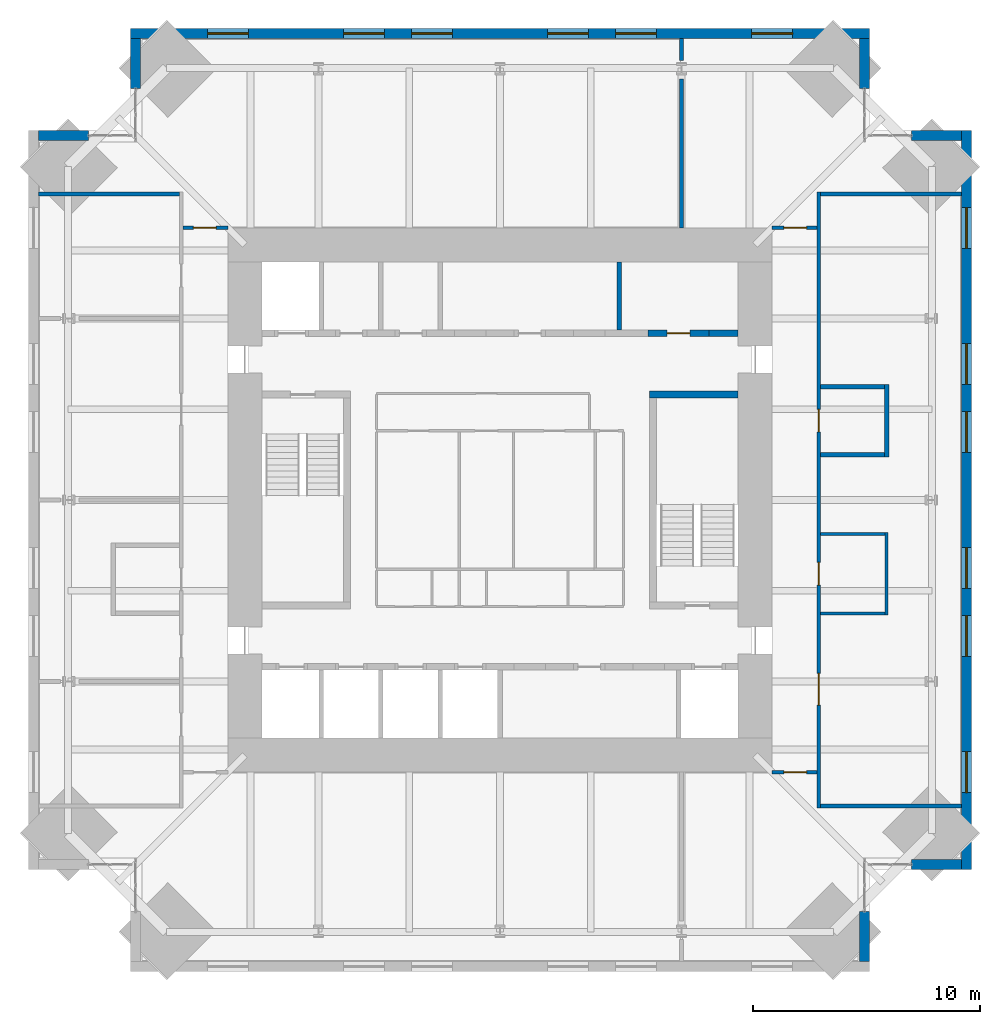
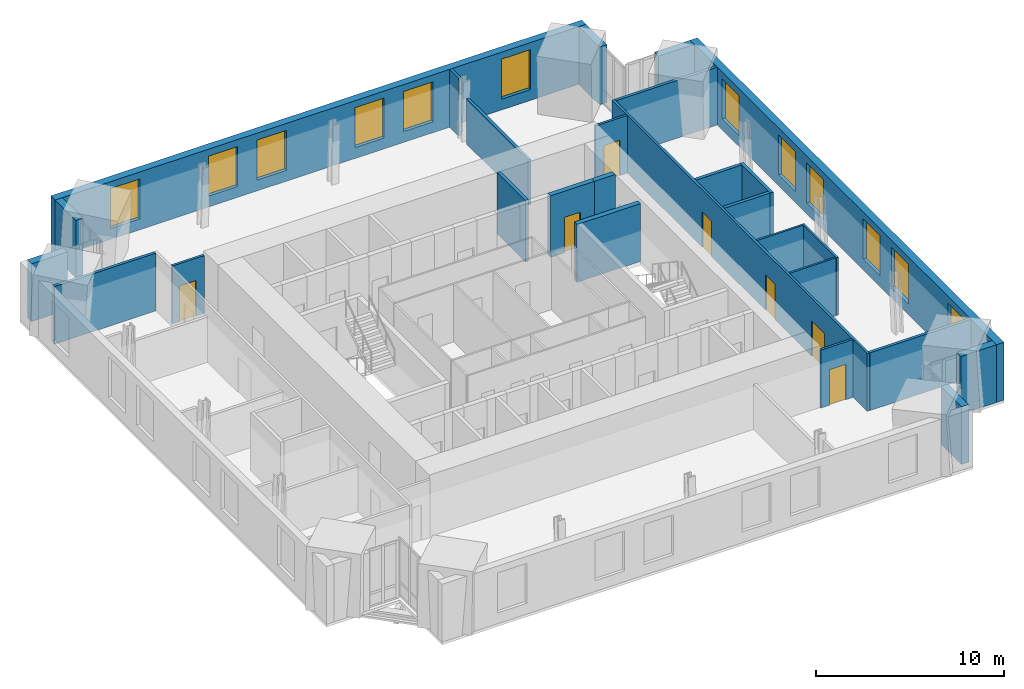
# One storey, part 13 of 15: 27 walls, 12 windows, 7 doors, 19 openings.
"""IFC4 building model written with IfcOpenShell, lengths in metres."""

from ifc_helpers import new_model, si_unit, direction, frame, frame_2d, origin, place, context, subcontext, project, spatial, rectangle, extrude, material, layer, layer_set, type_object, element, fill, save


model = new_model("IFC4")

# Units and contexts
model_context = context("Model", 3, precision=1e-05, world=origin(), true_north=direction((0.0, 1.0)))
body_context = subcontext(model_context, "Body", "Model", "MODEL_VIEW")
ifc_project = project(units=[si_unit("LENGTHUNIT", "METRE"), si_unit("AREAUNIT", "SQUARE_METRE"), si_unit("VOLUMEUNIT", "CUBIC_METRE"), si_unit("PLANEANGLEUNIT", "RADIAN"), si_unit("MASSUNIT", "GRAM", prefix="KILO")], contexts=[model_context])

# Site, building, storey
site_placement = place(None, origin())
site = spatial("IfcSite", under=ifc_project, at=site_placement, CompositionType="ELEMENT")
building_placement = place(site_placement, origin())
building = spatial("IfcBuilding", under=site, at=building_placement, Name="Peilmerk Tower", CompositionType="ELEMENT")
storey_placement = place(building_placement, frame((0.0, 0.0, 293.800048828125)))
storey = spatial("IfcBuildingStorey", under=building, at=storey_placement, Name="L66", CompositionType="ELEMENT", Elevation=293.800048828125)

# Wall, openings, windows
ifc_material_1 = material(Name="Precast concrete C45/55, board-marked finish", Category="concrete")
ifc_layer_1 = layer(ifc_material_1, 0.449951171875)
ifc_layer_set_1 = layer_set([ifc_layer_1], Name="Precast concrete C45/55, board-marked finish")
wall_type_1 = type_object("IfcWallType", Name="EW1 450 precast concrete facade wall, board-marked", PredefinedType="SOLIDWALL", material=ifc_layer_set_1)
wall_1_placement = place(storey_placement, frame((16.300048828125, 20.574951171875, 0.0), z_axis=(0.0, 0.0, 1.0), x_axis=(-1.0, 0.0, 0.0)))
wall_1 = element("IfcWall", 1, at=wall_1_placement, inside=storey, type_object=wall_type_1, Name="Facade wall N L66", PredefinedType="SOLIDWALL", context=body_context, shape_type="SweptSolid", body=[
    extrude(rectangle(XDim=32.60009765625, YDim=0.449951171875, at=frame_2d((16.300048828125, 0.0))), origin(), (0.0, 0.0, 1.0), 3.75),
])
opening_1_placement = place(wall_1_placement, frame((3.39990234375, 0.0, 0.699951171875)))
opening_1 = element("IfcOpeningElement", 2, at=opening_1_placement, cuts=wall_1, Name="Opening W1", PredefinedType="OPENING", context=body_context, shape_type="SweptSolid", body=[
    extrude(rectangle(XDim=1.800048828125, YDim=2.60009765625, at=frame_2d((0.89990234375, 1.300048828125))), frame((0.0, 0.23486328125, 0.0), z_axis=(0.0, -1.0, 0.0), x_axis=(1.0, 0.0, 0.0)), (0.0, 0.0, 1.0), 0.469970703125),
])
opening_2_placement = place(wall_1_placement, frame((9.39990234375, 0.0, 0.699951171875)))
opening_2 = element("IfcOpeningElement", 3, at=opening_2_placement, cuts=wall_1, Name="Opening W1", PredefinedType="OPENING", context=body_context, shape_type="SweptSolid", body=[
    extrude(rectangle(XDim=1.800048828125, YDim=2.60009765625, at=frame_2d((0.89990234375, 1.300048828125))), frame((0.0, 0.23486328125, 0.0), z_axis=(0.0, -1.0, 0.0), x_axis=(1.0, 0.0, 0.0)), (0.0, 0.0, 1.0), 0.469970703125),
])
opening_3_placement = place(wall_1_placement, frame((12.39990234375, 0.0, 0.699951171875)))
opening_3 = element("IfcOpeningElement", 4, at=opening_3_placement, cuts=wall_1, Name="Opening W1", PredefinedType="OPENING", context=body_context, shape_type="SweptSolid", body=[
    extrude(rectangle(XDim=1.800048828125, YDim=2.60009765625, at=frame_2d((0.89990234375, 1.300048828125))), frame((0.0, 0.23486328125, 0.0), z_axis=(0.0, -1.0, 0.0), x_axis=(1.0, 0.0, 0.0)), (0.0, 0.0, 1.0), 0.469970703125),
])
opening_4_placement = place(wall_1_placement, frame((18.39990234375, 0.0, 0.699951171875)))
opening_4 = element("IfcOpeningElement", 5, at=opening_4_placement, cuts=wall_1, Name="Opening W1", PredefinedType="OPENING", context=body_context, shape_type="SweptSolid", body=[
    extrude(rectangle(XDim=1.800048828125, YDim=2.60009765625, at=frame_2d((0.89990234375, 1.300048828125))), frame((0.0, 0.23486328125, 0.0), z_axis=(0.0, -1.0, 0.0), x_axis=(1.0, 0.0, 0.0)), (0.0, 0.0, 1.0), 0.469970703125),
])
opening_5_placement = place(wall_1_placement, frame((21.39990234375, 0.0, 0.699951171875)))
opening_5 = element("IfcOpeningElement", 6, at=opening_5_placement, cuts=wall_1, Name="Opening W1", PredefinedType="OPENING", context=body_context, shape_type="SweptSolid", body=[
    extrude(rectangle(XDim=1.800048828125, YDim=2.60009765625, at=frame_2d((0.89990234375, 1.300048828125))), frame((0.0, 0.23486328125, 0.0), z_axis=(0.0, -1.0, 0.0), x_axis=(1.0, 0.0, 0.0)), (0.0, 0.0, 1.0), 0.469970703125),
])
opening_6_placement = place(wall_1_placement, frame((27.39990234375, 0.0, 0.699951171875)))
opening_6 = element("IfcOpeningElement", 7, at=opening_6_placement, cuts=wall_1, Name="Opening W1", PredefinedType="OPENING", context=body_context, shape_type="SweptSolid", body=[
    extrude(rectangle(XDim=1.800048828125, YDim=2.60009765625, at=frame_2d((0.89990234375, 1.300048828125))), frame((0.0, 0.23486328125, 0.0), z_axis=(0.0, -1.0, 0.0), x_axis=(1.0, 0.0, 0.0)), (0.0, 0.0, 1.0), 0.469970703125),
])
ifc_material_2 = material(Name="Aluminium frame, clear double glazing", Category="aluminium")
window_type = type_object("IfcWindowType", Name="W1 1800x2600 office window", PartitioningType="SINGLE_PANEL", PredefinedType="WINDOW", material=ifc_material_2)
window_1_placement = place(opening_1_placement, origin())
window_1 = element("IfcWindow", 8, at=window_1_placement, inside=storey, type_object=window_type, Name="Window W1 L66", OverallHeight=2.60009765625, OverallWidth=1.800048828125, PartitioningType="SINGLE_PANEL", PredefinedType="WINDOW", context=body_context, shape_type="SweptSolid", body=[
    extrude(rectangle(XDim=1.800048828125, YDim=2.60009765625, at=frame_2d((0.89990234375, 1.300048828125))), frame((0.0, 0.030029296875, 0.0), z_axis=(0.0, -1.0, 0.0), x_axis=(1.0, 0.0, 0.0)), (0.0, 0.0, 1.0), 0.06005859375),
])
fill(opening_1, window_1)
window_2_placement = place(opening_2_placement, origin())
window_2 = element("IfcWindow", 9, at=window_2_placement, inside=storey, type_object=window_type, Name="Window W1 L66", OverallHeight=2.60009765625, OverallWidth=1.800048828125, PartitioningType="SINGLE_PANEL", PredefinedType="WINDOW", context=body_context, shape_type="SweptSolid", body=[
    extrude(rectangle(XDim=1.800048828125, YDim=2.60009765625, at=frame_2d((0.89990234375, 1.300048828125))), frame((0.0, 0.030029296875, 0.0), z_axis=(0.0, -1.0, 0.0), x_axis=(1.0, 0.0, 0.0)), (0.0, 0.0, 1.0), 0.06005859375),
])
fill(opening_2, window_2)
window_3_placement = place(opening_3_placement, origin())
window_3 = element("IfcWindow", 10, at=window_3_placement, inside=storey, type_object=window_type, Name="Window W1 L66", OverallHeight=2.60009765625, OverallWidth=1.800048828125, PartitioningType="SINGLE_PANEL", PredefinedType="WINDOW", context=body_context, shape_type="SweptSolid", body=[
    extrude(rectangle(XDim=1.800048828125, YDim=2.60009765625, at=frame_2d((0.89990234375, 1.300048828125))), frame((0.0, 0.030029296875, 0.0), z_axis=(0.0, -1.0, 0.0), x_axis=(1.0, 0.0, 0.0)), (0.0, 0.0, 1.0), 0.06005859375),
])
fill(opening_3, window_3)
window_4_placement = place(opening_4_placement, origin())
window_4 = element("IfcWindow", 11, at=window_4_placement, inside=storey, type_object=window_type, Name="Window W1 L66", OverallHeight=2.60009765625, OverallWidth=1.800048828125, PartitioningType="SINGLE_PANEL", PredefinedType="WINDOW", context=body_context, shape_type="SweptSolid", body=[
    extrude(rectangle(XDim=1.800048828125, YDim=2.60009765625, at=frame_2d((0.89990234375, 1.300048828125))), frame((0.0, 0.030029296875, 0.0), z_axis=(0.0, -1.0, 0.0), x_axis=(1.0, 0.0, 0.0)), (0.0, 0.0, 1.0), 0.06005859375),
])
fill(opening_4, window_4)
window_5_placement = place(opening_5_placement, origin())
window_5 = element("IfcWindow", 12, at=window_5_placement, inside=storey, type_object=window_type, Name="Window W1 L66", OverallHeight=2.60009765625, OverallWidth=1.800048828125, PartitioningType="SINGLE_PANEL", PredefinedType="WINDOW", context=body_context, shape_type="SweptSolid", body=[
    extrude(rectangle(XDim=1.800048828125, YDim=2.60009765625, at=frame_2d((0.89990234375, 1.300048828125))), frame((0.0, 0.030029296875, 0.0), z_axis=(0.0, -1.0, 0.0), x_axis=(1.0, 0.0, 0.0)), (0.0, 0.0, 1.0), 0.06005859375),
])
fill(opening_5, window_5)
window_6_placement = place(opening_6_placement, origin())
window_6 = element("IfcWindow", 13, at=window_6_placement, inside=storey, type_object=window_type, Name="Window W1 L66", OverallHeight=2.60009765625, OverallWidth=1.800048828125, PartitioningType="SINGLE_PANEL", PredefinedType="WINDOW", context=body_context, shape_type="SweptSolid", body=[
    extrude(rectangle(XDim=1.800048828125, YDim=2.60009765625, at=frame_2d((0.89990234375, 1.300048828125))), frame((0.0, 0.030029296875, 0.0), z_axis=(0.0, -1.0, 0.0), x_axis=(1.0, 0.0, 0.0)), (0.0, 0.0, 1.0), 0.06005859375),
])
fill(opening_6, window_6)

wall_2_placement = place(storey_placement, frame((20.574951171875, -16.300048828125, 0.0), z_axis=(0.0, 0.0, 1.0), x_axis=(0.0, 1.0, 0.0)))
wall_2 = element("IfcWall", 14, at=wall_2_placement, inside=storey, type_object=wall_type_1, Name="Facade wall E L66", PredefinedType="SOLIDWALL", context=body_context, shape_type="SweptSolid", body=[
    extrude(rectangle(XDim=32.60009765625, YDim=0.449951171875, at=frame_2d((16.300048828125, 0.0))), origin(), (0.0, 0.0, 1.0), 3.75),
])
opening_7_placement = place(wall_2_placement, frame((3.39990234375, 0.0, 0.699951171875)))
opening_7 = element("IfcOpeningElement", 15, at=opening_7_placement, cuts=wall_2, Name="Opening W1", PredefinedType="OPENING", context=body_context, shape_type="SweptSolid", body=[
    extrude(rectangle(XDim=1.800048828125, YDim=2.60009765625, at=frame_2d((0.89990234375, 1.300048828125))), frame((0.0, 0.23486328125, 0.0), z_axis=(0.0, -1.0, 0.0), x_axis=(1.0, 0.0, 0.0)), (0.0, 0.0, 1.0), 0.469970703125),
])
opening_8_placement = place(wall_2_placement, frame((9.39990234375, 0.0, 0.699951171875)))
opening_8 = element("IfcOpeningElement", 16, at=opening_8_placement, cuts=wall_2, Name="Opening W1", PredefinedType="OPENING", context=body_context, shape_type="SweptSolid", body=[
    extrude(rectangle(XDim=1.800048828125, YDim=2.60009765625, at=frame_2d((0.89990234375, 1.300048828125))), frame((0.0, 0.23486328125, 0.0), z_axis=(0.0, -1.0, 0.0), x_axis=(1.0, 0.0, 0.0)), (0.0, 0.0, 1.0), 0.469970703125),
])
opening_9_placement = place(wall_2_placement, frame((12.39990234375, 0.0, 0.699951171875)))
opening_9 = element("IfcOpeningElement", 17, at=opening_9_placement, cuts=wall_2, Name="Opening W1", PredefinedType="OPENING", context=body_context, shape_type="SweptSolid", body=[
    extrude(rectangle(XDim=1.800048828125, YDim=2.60009765625, at=frame_2d((0.89990234375, 1.300048828125))), frame((0.0, 0.23486328125, 0.0), z_axis=(0.0, -1.0, 0.0), x_axis=(1.0, 0.0, 0.0)), (0.0, 0.0, 1.0), 0.469970703125),
])
opening_10_placement = place(wall_2_placement, frame((18.39990234375, 0.0, 0.699951171875)))
opening_10 = element("IfcOpeningElement", 18, at=opening_10_placement, cuts=wall_2, Name="Opening W1", PredefinedType="OPENING", context=body_context, shape_type="SweptSolid", body=[
    extrude(rectangle(XDim=1.800048828125, YDim=2.60009765625, at=frame_2d((0.89990234375, 1.300048828125))), frame((0.0, 0.23486328125, 0.0), z_axis=(0.0, -1.0, 0.0), x_axis=(1.0, 0.0, 0.0)), (0.0, 0.0, 1.0), 0.469970703125),
])
opening_11_placement = place(wall_2_placement, frame((21.39990234375, 0.0, 0.699951171875)))
opening_11 = element("IfcOpeningElement", 19, at=opening_11_placement, cuts=wall_2, Name="Opening W1", PredefinedType="OPENING", context=body_context, shape_type="SweptSolid", body=[
    extrude(rectangle(XDim=1.800048828125, YDim=2.60009765625, at=frame_2d((0.89990234375, 1.300048828125))), frame((0.0, 0.23486328125, 0.0), z_axis=(0.0, -1.0, 0.0), x_axis=(1.0, 0.0, 0.0)), (0.0, 0.0, 1.0), 0.469970703125),
])
opening_12_placement = place(wall_2_placement, frame((27.39990234375, 0.0, 0.699951171875)))
opening_12 = element("IfcOpeningElement", 20, at=opening_12_placement, cuts=wall_2, Name="Opening W1", PredefinedType="OPENING", context=body_context, shape_type="SweptSolid", body=[
    extrude(rectangle(XDim=1.800048828125, YDim=2.60009765625, at=frame_2d((0.89990234375, 1.300048828125))), frame((0.0, 0.23486328125, 0.0), z_axis=(0.0, -1.0, 0.0), x_axis=(1.0, 0.0, 0.0)), (0.0, 0.0, 1.0), 0.469970703125),
])
window_7_placement = place(opening_7_placement, origin())
window_7 = element("IfcWindow", 21, at=window_7_placement, inside=storey, type_object=window_type, Name="Window W1 L66", OverallHeight=2.60009765625, OverallWidth=1.800048828125, PartitioningType="SINGLE_PANEL", PredefinedType="WINDOW", context=body_context, shape_type="SweptSolid", body=[
    extrude(rectangle(XDim=1.800048828125, YDim=2.60009765625, at=frame_2d((0.89990234375, 1.300048828125))), frame((0.0, 0.030029296875, 0.0), z_axis=(0.0, -1.0, 0.0), x_axis=(1.0, 0.0, 0.0)), (0.0, 0.0, 1.0), 0.06005859375),
])
fill(opening_7, window_7)
window_8_placement = place(opening_8_placement, origin())
window_8 = element("IfcWindow", 22, at=window_8_placement, inside=storey, type_object=window_type, Name="Window W1 L66", OverallHeight=2.60009765625, OverallWidth=1.800048828125, PartitioningType="SINGLE_PANEL", PredefinedType="WINDOW", context=body_context, shape_type="SweptSolid", body=[
    extrude(rectangle(XDim=1.800048828125, YDim=2.60009765625, at=frame_2d((0.89990234375, 1.300048828125))), frame((0.0, 0.030029296875, 0.0), z_axis=(0.0, -1.0, 0.0), x_axis=(1.0, 0.0, 0.0)), (0.0, 0.0, 1.0), 0.06005859375),
])
fill(opening_8, window_8)
window_9_placement = place(opening_9_placement, origin())
window_9 = element("IfcWindow", 23, at=window_9_placement, inside=storey, type_object=window_type, Name="Window W1 L66", OverallHeight=2.60009765625, OverallWidth=1.800048828125, PartitioningType="SINGLE_PANEL", PredefinedType="WINDOW", context=body_context, shape_type="SweptSolid", body=[
    extrude(rectangle(XDim=1.800048828125, YDim=2.60009765625, at=frame_2d((0.89990234375, 1.300048828125))), frame((0.0, 0.030029296875, 0.0), z_axis=(0.0, -1.0, 0.0), x_axis=(1.0, 0.0, 0.0)), (0.0, 0.0, 1.0), 0.06005859375),
])
fill(opening_9, window_9)
window_10_placement = place(opening_10_placement, origin())
window_10 = element("IfcWindow", 24, at=window_10_placement, inside=storey, type_object=window_type, Name="Window W1 L66", OverallHeight=2.60009765625, OverallWidth=1.800048828125, PartitioningType="SINGLE_PANEL", PredefinedType="WINDOW", context=body_context, shape_type="SweptSolid", body=[
    extrude(rectangle(XDim=1.800048828125, YDim=2.60009765625, at=frame_2d((0.89990234375, 1.300048828125))), frame((0.0, 0.030029296875, 0.0), z_axis=(0.0, -1.0, 0.0), x_axis=(1.0, 0.0, 0.0)), (0.0, 0.0, 1.0), 0.06005859375),
])
fill(opening_10, window_10)
window_11_placement = place(opening_11_placement, origin())
window_11 = element("IfcWindow", 25, at=window_11_placement, inside=storey, type_object=window_type, Name="Window W1 L66", OverallHeight=2.60009765625, OverallWidth=1.800048828125, PartitioningType="SINGLE_PANEL", PredefinedType="WINDOW", context=body_context, shape_type="SweptSolid", body=[
    extrude(rectangle(XDim=1.800048828125, YDim=2.60009765625, at=frame_2d((0.89990234375, 1.300048828125))), frame((0.0, 0.030029296875, 0.0), z_axis=(0.0, -1.0, 0.0), x_axis=(1.0, 0.0, 0.0)), (0.0, 0.0, 1.0), 0.06005859375),
])
fill(opening_11, window_11)
window_12_placement = place(opening_12_placement, origin())
window_12 = element("IfcWindow", 26, at=window_12_placement, inside=storey, type_object=window_type, Name="Window W1 L66", OverallHeight=2.60009765625, OverallWidth=1.800048828125, PartitioningType="SINGLE_PANEL", PredefinedType="WINDOW", context=body_context, shape_type="SweptSolid", body=[
    extrude(rectangle(XDim=1.800048828125, YDim=2.60009765625, at=frame_2d((0.89990234375, 1.300048828125))), frame((0.0, 0.030029296875, 0.0), z_axis=(0.0, -1.0, 0.0), x_axis=(1.0, 0.0, 0.0)), (0.0, 0.0, 1.0), 0.06005859375),
])
fill(opening_12, window_12)

# Walls
for number, where, z_axis, x_axis, name in (
    (27, (16.074951171875, 18.153564453125, 0.0), (0.0, 0.0, 1.0), (0.0, 1.0, 0.0), "Facade wall NEA L66"),
    (28, (18.153564453125, 16.074951171875, 0.0), (0.0, 0.0, 1.0), (1.0, 0.0, 0.0), "Facade wall NEB L66"),
    (29, (16.074951171875, -18.153564453125, 0.0), (0.0, 0.0, 1.0), (0.0, -1.0, 0.0), "Facade wall SEA L66"),
    (30, (18.153564453125, -16.074951171875, 0.0), (0.0, 0.0, 1.0), (1.0, 0.0, 0.0), "Facade wall SEB L66"),
    (31, (-16.074951171875, 18.153564453125, 0.0), (0.0, 0.0, 1.0), (0.0, 1.0, 0.0), "Facade wall NWA L66"),
    (32, (-18.153564453125, 16.074951171875, 0.0), (0.0, 0.0, 1.0), (-1.0, 0.0, 0.0), "Facade wall NWB L66"),
):
    element("IfcWall", number, at=place(storey_placement, frame(where, z_axis=z_axis, x_axis=x_axis)), inside=storey, type_object=wall_type_1, Name=name, PredefinedType="SOLIDWALL", context=body_context, shape_type="SweptSolid", body=[
        extrude(rectangle(XDim=2.196533203125, YDim=0.449951171875, at=frame_2d((1.09814453125, 0.0))), origin(), (0.0, 0.0, 1.0), 3.75),
    ])

# Wall, openings, doors
ifc_material_3 = material(Name="Calcium silicate block", Category="masonry")
ifc_layer_2 = layer(ifc_material_3, 0.14990234375)
ifc_layer_set_2 = layer_set([ifc_layer_2], Name="Calcium silicate block")
wall_type_2 = type_object("IfcWallType", Name="IW1 150 corridor partition, EI 60", PredefinedType="PARTITIONING", material=ifc_layer_set_2)
wall_3_placement = place(storey_placement, frame((14.050048828125, -13.574951171875, 0.0), z_axis=(0.0, 0.0, 1.0), x_axis=(0.0, 1.0, 0.0)))
wall_3 = element("IfcWall", 33, at=wall_3_placement, inside=storey, type_object=wall_type_2, Name="Corridor wall E L66", PredefinedType="PARTITIONING", context=body_context, shape_type="SweptSolid", body=[
    extrude(rectangle(XDim=27.14990234375, YDim=0.14990234375, at=frame_2d((13.574951171875, 0.0))), origin(), (0.0, 0.0, 1.0), 3.75),
])
opening_13_placement = place(wall_3_placement, frame((4.52490234375, 0.0, 0.0)))
opening_13 = element("IfcOpeningElement", 34, at=opening_13_placement, cuts=wall_3, Name="Opening D8", PredefinedType="OPENING", context=body_context, shape_type="SweptSolid", body=[
    extrude(rectangle(XDim=1.39990234375, YDim=2.300048828125, at=frame_2d((0.699951171875, 1.14990234375))), frame((0.0, 0.0849609375, 0.0), z_axis=(0.0, -1.0, 0.0), x_axis=(1.0, 0.0, 0.0)), (0.0, 0.0, 1.0), 0.169921875),
])
opening_14_placement = place(wall_3_placement, frame((9.824951171875, 0.0, 0.0)))
opening_14 = element("IfcOpeningElement", 35, at=opening_14_placement, cuts=wall_3, Name="Opening D1", PredefinedType="OPENING", context=body_context, shape_type="SweptSolid", body=[
    extrude(rectangle(XDim=1.0, YDim=2.300048828125, at=frame_2d((0.5, 1.14990234375))), frame((0.0, 0.0849609375, 0.0), z_axis=(0.0, -1.0, 0.0), x_axis=(1.0, 0.0, 0.0)), (0.0, 0.0, 1.0), 0.169921875),
])
opening_15_placement = place(wall_3_placement, frame((16.574951171875, 0.0, 0.0)))
opening_15 = element("IfcOpeningElement", 36, at=opening_15_placement, cuts=wall_3, Name="Opening D1", PredefinedType="OPENING", context=body_context, shape_type="SweptSolid", body=[
    extrude(rectangle(XDim=1.0, YDim=2.300048828125, at=frame_2d((0.5, 1.14990234375))), frame((0.0, 0.0849609375, 0.0), z_axis=(0.0, -1.0, 0.0), x_axis=(1.0, 0.0, 0.0)), (0.0, 0.0, 1.0), 0.169921875),
])
ifc_material_4 = material(Name="Timber door in steel frame", Category="steel")
door_type_1 = type_object("IfcDoorType", Name="D1 1000x2300 room door, EI2 30", OperationType="SINGLE_SWING_LEFT", PredefinedType="DOOR", material=ifc_material_4)
door_1_placement = place(opening_14_placement, frame((1.0, 0.0, 0.0), z_axis=(0.0, 0.0, 1.0), x_axis=(-1.0, 0.0, 0.0)))
door_1 = element("IfcDoor", 37, at=door_1_placement, inside=storey, type_object=door_type_1, Name="Door Pantry L66", OperationType="SINGLE_SWING_LEFT", OverallHeight=2.300048828125, OverallWidth=1.0, PredefinedType="DOOR", context=body_context, shape_type="SweptSolid", body=[
    extrude(rectangle(XDim=1.0, YDim=2.300048828125, at=frame_2d((0.5, 1.14990234375))), frame((0.0, 0.02490234375, 0.0), z_axis=(0.0, -1.0, 0.0), x_axis=(1.0, 0.0, 0.0)), (0.0, 0.0, 1.0), 0.050048828125),
])
fill(opening_14, door_1)
door_2_placement = place(opening_15_placement, frame((1.0, 0.0, 0.0), z_axis=(0.0, 0.0, 1.0), x_axis=(-1.0, 0.0, 0.0)))
door_2 = element("IfcDoor", 38, at=door_2_placement, inside=storey, type_object=door_type_1, Name="Door AV control room L66", OperationType="SINGLE_SWING_LEFT", OverallHeight=2.300048828125, OverallWidth=1.0, PredefinedType="DOOR", context=body_context, shape_type="SweptSolid", body=[
    extrude(rectangle(XDim=1.0, YDim=2.300048828125, at=frame_2d((0.5, 1.14990234375))), frame((0.0, 0.02490234375, 0.0), z_axis=(0.0, -1.0, 0.0), x_axis=(1.0, 0.0, 0.0)), (0.0, 0.0, 1.0), 0.050048828125),
])
fill(opening_15, door_2)
door_type_2 = type_object("IfcDoorType", Name="D8 1400x2300 leaf-and-a-half door, EI2 30", OperationType="DOUBLE_DOOR_SINGLE_SWING", PredefinedType="DOOR", material=ifc_material_4)
door_3_placement = place(opening_13_placement, frame((1.39990234375, 0.0, 0.0), z_axis=(0.0, 0.0, 1.0), x_axis=(-1.0, 0.0, 0.0)))
door_3 = element("IfcDoor", 39, at=door_3_placement, inside=storey, type_object=door_type_2, Name="Door Client suite L66", OperationType="DOUBLE_DOOR_SINGLE_SWING", OverallHeight=2.300048828125, OverallWidth=1.39990234375, PredefinedType="DOOR", context=body_context, shape_type="SweptSolid", body=[
    extrude(rectangle(XDim=1.39990234375, YDim=2.300048828125, at=frame_2d((0.699951171875, 1.14990234375))), frame((0.0, 0.02490234375, 0.0), z_axis=(0.0, -1.0, 0.0), x_axis=(1.0, 0.0, 0.0)), (0.0, 0.0, 1.0), 0.050048828125),
])
fill(opening_13, door_3)

# Wall, opening, door
wall_4_placement = place(storey_placement, frame((12.0, 12.0, 0.0), z_axis=(0.0, 0.0, 1.0), x_axis=(1.0, 0.0, 0.0)))
wall_4 = element("IfcWall", 40, at=wall_4_placement, inside=storey, type_object=wall_type_2, Name="Corridor wall NE L66", PredefinedType="PARTITIONING", context=body_context, shape_type="SweptSolid", body=[
    extrude(rectangle(XDim=1.97509765625, YDim=0.14990234375, at=frame_2d((0.987548828125, 0.0))), origin(), (0.0, 0.0, 1.0), 3.75),
])
opening_16_placement = place(wall_4_placement, frame((0.52490234375, 0.0, 0.0)))
opening_16 = element("IfcOpeningElement", 41, at=opening_16_placement, cuts=wall_4, Name="Opening D1", PredefinedType="OPENING", context=body_context, shape_type="SweptSolid", body=[
    extrude(rectangle(XDim=1.0, YDim=2.300048828125, at=frame_2d((0.5, 1.14990234375))), frame((0.0, 0.0849609375, 0.0), z_axis=(0.0, -1.0, 0.0), x_axis=(1.0, 0.0, 0.0)), (0.0, 0.0, 1.0), 0.169921875),
])
door_4_placement = place(opening_16_placement, origin())
door_4 = element("IfcDoor", 42, at=door_4_placement, inside=storey, type_object=door_type_1, Name="Door Team workspace L66", OperationType="SINGLE_SWING_LEFT", OverallHeight=2.300048828125, OverallWidth=1.0, PredefinedType="DOOR", context=body_context, shape_type="SweptSolid", body=[
    extrude(rectangle(XDim=1.0, YDim=2.300048828125, at=frame_2d((0.5, 1.14990234375))), frame((0.0, 0.02490234375, 0.0), z_axis=(0.0, -1.0, 0.0), x_axis=(1.0, 0.0, 0.0)), (0.0, 0.0, 1.0), 0.050048828125),
])
fill(opening_16, door_4)

wall_5_placement = place(storey_placement, frame((-13.97509765625, 12.0, 0.0), z_axis=(0.0, 0.0, 1.0), x_axis=(1.0, 0.0, 0.0)))
wall_5 = element("IfcWall", 43, at=wall_5_placement, inside=storey, type_object=wall_type_2, Name="Corridor wall NW L66", PredefinedType="PARTITIONING", context=body_context, shape_type="SweptSolid", body=[
    extrude(rectangle(XDim=1.97509765625, YDim=0.14990234375, at=frame_2d((0.987548828125, 0.0))), origin(), (0.0, 0.0, 1.0), 3.75),
])
opening_17_placement = place(wall_5_placement, frame((0.449951171875, 0.0, 0.0)))
opening_17 = element("IfcOpeningElement", 44, at=opening_17_placement, cuts=wall_5, Name="Opening D1", PredefinedType="OPENING", context=body_context, shape_type="SweptSolid", body=[
    extrude(rectangle(XDim=1.0, YDim=2.300048828125, at=frame_2d((0.5, 1.14990234375))), frame((0.0, 0.0849609375, 0.0), z_axis=(0.0, -1.0, 0.0), x_axis=(1.0, 0.0, 0.0)), (0.0, 0.0, 1.0), 0.169921875),
])
door_5_placement = place(opening_17_placement, origin())
door_5 = element("IfcDoor", 45, at=door_5_placement, inside=storey, type_object=door_type_1, Name="Door Open workspace L66", OperationType="SINGLE_SWING_LEFT", OverallHeight=2.300048828125, OverallWidth=1.0, PredefinedType="DOOR", context=body_context, shape_type="SweptSolid", body=[
    extrude(rectangle(XDim=1.0, YDim=2.300048828125, at=frame_2d((0.5, 1.14990234375))), frame((0.0, 0.02490234375, 0.0), z_axis=(0.0, -1.0, 0.0), x_axis=(1.0, 0.0, 0.0)), (0.0, 0.0, 1.0), 0.050048828125),
])
fill(opening_17, door_5)

wall_6_placement = place(storey_placement, frame((13.97509765625, -12.0, 0.0), z_axis=(0.0, 0.0, 1.0), x_axis=(-1.0, 0.0, 0.0)))
wall_6 = element("IfcWall", 46, at=wall_6_placement, inside=storey, type_object=wall_type_2, Name="Corridor wall SE L66", PredefinedType="PARTITIONING", context=body_context, shape_type="SweptSolid", body=[
    extrude(rectangle(XDim=1.97509765625, YDim=0.14990234375, at=frame_2d((0.987548828125, 0.0))), origin(), (0.0, 0.0, 1.0), 3.75),
])
opening_18_placement = place(wall_6_placement, frame((0.449951171875, 0.0, 0.0)))
opening_18 = element("IfcOpeningElement", 47, at=opening_18_placement, cuts=wall_6, Name="Opening D1", PredefinedType="OPENING", context=body_context, shape_type="SweptSolid", body=[
    extrude(rectangle(XDim=1.0, YDim=2.300048828125, at=frame_2d((0.5, 1.14990234375))), frame((0.0, 0.0849609375, 0.0), z_axis=(0.0, -1.0, 0.0), x_axis=(1.0, 0.0, 0.0)), (0.0, 0.0, 1.0), 0.169921875),
])
door_6_placement = place(opening_18_placement, origin())
door_6 = element("IfcDoor", 48, at=door_6_placement, inside=storey, type_object=door_type_1, Name="Door Office L66", OperationType="SINGLE_SWING_LEFT", OverallHeight=2.300048828125, OverallWidth=1.0, PredefinedType="DOOR", context=body_context, shape_type="SweptSolid", body=[
    extrude(rectangle(XDim=1.0, YDim=2.300048828125, at=frame_2d((0.5, 1.14990234375))), frame((0.0, 0.02490234375, 0.0), z_axis=(0.0, -1.0, 0.0), x_axis=(1.0, 0.0, 0.0)), (0.0, 0.0, 1.0), 0.050048828125),
])
fill(opening_18, door_6)

# Walls
ifc_layer_3 = layer(ifc_material_3, 0.199951171875)
ifc_layer_set_3 = layer_set([ifc_layer_3], Name="Calcium silicate block")
wall_type_3 = type_object("IfcWallType", Name="IW2 200 room separating wall, EI 120", PredefinedType="PARTITIONING", material=ifc_layer_set_3)
wall_7_placement = place(storey_placement, frame((17.050048828125, 1.89990234375, 0.0), z_axis=(0.0, 0.0, 1.0), x_axis=(0.0, 1.0, 0.0)))
element("IfcWall", 49, at=wall_7_placement, inside=storey, type_object=wall_type_3, Name="Room separating wall AV control room L66", PredefinedType="PARTITIONING", context=body_context, shape_type="SweptSolid", body=[
    extrude(rectangle(XDim=3.2001953125, YDim=0.199951171875, at=frame_2d((1.60009765625, 0.0))), origin(), (0.0, 0.0, 1.0), 3.75),
])
for number, where, z_axis, x_axis, name in (
    (50, (14.125, 2.0, 0.0), (0.0, 0.0, 1.0), (1.0, 0.0, 0.0), "Room separating wall AV control room L66"),
    (51, (14.125, 5.0, 0.0), (0.0, 0.0, 1.0), (1.0, 0.0, 0.0), "Room separating wall AV control room L66"),
):
    element("IfcWall", number, at=place(storey_placement, frame(where, z_axis=z_axis, x_axis=x_axis)), inside=storey, type_object=wall_type_3, Name=name, PredefinedType="PARTITIONING", context=body_context, shape_type="SweptSolid", body=[
        extrude(rectangle(XDim=2.824951171875, YDim=0.199951171875, at=frame_2d((1.41259765625, 0.0))), origin(), (0.0, 0.0, 1.0), 3.75),
    ])
ifc_material_5 = material(Name="Concrete C35/45", Category="concrete")
ifc_layer_4 = layer(ifc_material_5, 0.300048828125)
ifc_layer_set_4 = layer_set([ifc_layer_4], Name="Concrete C35/45")
wall_type_4 = type_object("IfcWallType", Name="IW3 300 concrete stair enclosure wall, EI 120", PredefinedType="SOLIDWALL", material=ifc_layer_set_4)
wall_8_placement = place(storey_placement, frame((6.60009765625, 4.64990234375, 0.0), z_axis=(0.0, 0.0, 1.0), x_axis=(1.0, 0.0, 0.0)))
element("IfcWall", 52, at=wall_8_placement, inside=storey, type_object=wall_type_4, Name="Stair 2 enclosure L66", PredefinedType="SOLIDWALL", context=body_context, shape_type="SweptSolid", body=[
    extrude(rectangle(XDim=3.89990234375, YDim=0.300048828125, at=frame_2d((1.949951171875, 0.0))), origin(), (0.0, 0.0, 1.0), 3.75),
])
ifc_material_6 = material(Name="Plasterboard on steel studs, double boarded with mineral wool", Category="steel")
ifc_layer_5 = layer(ifc_material_6, 0.125)
ifc_layer_set_5 = layer_set([ifc_layer_5], Name="Plasterboard on steel studs, double boarded with mineral wool")
wall_type_5 = type_object("IfcWallType", Name="IW7 125 acoustic partition, EI 30", PredefinedType="PARTITIONING", material=ifc_layer_set_5)
wall_9_placement = place(storey_placement, frame((17.050048828125, -5.0625, 0.0), z_axis=(0.0, 0.0, 1.0), x_axis=(0.0, 1.0, 0.0)))
element("IfcWall", 53, at=wall_9_placement, inside=storey, type_object=wall_type_5, Name="Acoustic partition Pantry L66", PredefinedType="PARTITIONING", context=body_context, shape_type="SweptSolid", body=[
    extrude(rectangle(XDim=3.625, YDim=0.125, at=frame_2d((1.8125, 0.0))), origin(), (0.0, 0.0, 1.0), 3.75),
])
for number, where, z_axis, x_axis, name in (
    (54, (14.125, -5.0, 0.0), (0.0, 0.0, 1.0), (1.0, 0.0, 0.0), "Acoustic partition Pantry L66"),
    (55, (14.125, -1.5, 0.0), (0.0, 0.0, 1.0), (1.0, 0.0, 0.0), "Acoustic partition Pantry L66"),
):
    element("IfcWall", number, at=place(storey_placement, frame(where, z_axis=z_axis, x_axis=x_axis)), inside=storey, type_object=wall_type_5, Name=name, PredefinedType="PARTITIONING", context=body_context, shape_type="SweptSolid", body=[
        extrude(rectangle(XDim=2.862548828125, YDim=0.125, at=frame_2d((1.43115234375, 0.0))), origin(), (0.0, 0.0, 1.0), 3.75),
    ])
ifc_layer_6 = layer(ifc_material_3, 0.175048828125)
ifc_layer_set_6 = layer_set([ifc_layer_6], Name="Calcium silicate block")
wall_type_6 = type_object("IfcWallType", Name="IW8 175 tenant separating wall, EI 60", PredefinedType="PARTITIONING", material=ifc_layer_set_6)
for number, where, z_axis, x_axis, name in (
    (56, (14.125, 13.5, 0.0), (0.0, 0.0, 1.0), (1.0, 0.0, 0.0), "Tenant separating wall NE L66"),
    (57, (-20.35009765625, 13.5, 0.0), (0.0, 0.0, 1.0), (1.0, 0.0, 0.0), "Tenant separating wall NW L66"),
    (58, (20.35009765625, -13.5, 0.0), (0.0, 0.0, 1.0), (-1.0, 0.0, 0.0), "Tenant separating wall SE L66"),
):
    element("IfcWall", number, at=place(storey_placement, frame(where, z_axis=z_axis, x_axis=x_axis)), inside=storey, type_object=wall_type_6, Name=name, PredefinedType="PARTITIONING", context=body_context, shape_type="SweptSolid", body=[
        extrude(rectangle(XDim=6.22509765625, YDim=0.175048828125, at=frame_2d((3.112548828125, 0.0))), origin(), (0.0, 0.0, 1.0), 3.75),
    ])
wall_10_placement = place(storey_placement, frame((8.0, 12.0, 0.0), z_axis=(0.0, 0.0, 1.0), x_axis=(0.0, 1.0, 0.0)))
element("IfcWall", 59, at=wall_10_placement, inside=storey, type_object=wall_type_6, Name="Tenant separating wall N1 L66", PredefinedType="PARTITIONING", context=body_context, shape_type="SweptSolid", body=[
    extrude(rectangle(XDim=6.55908203125, YDim=0.175048828125, at=frame_2d((3.279541015625, 0.0))), origin(), (0.0, 0.0, 1.0), 2.93603515625),
])
wall_11_placement = place(storey_placement, frame((8.0, 19.379638671875, 0.0), z_axis=(0.0, 0.0, 1.0), x_axis=(0.0, 1.0, 0.0)))
element("IfcWall", 60, at=wall_11_placement, inside=storey, type_object=wall_type_6, Name="Tenant separating wall N1b L66", PredefinedType="PARTITIONING", context=body_context, shape_type="SweptSolid", body=[
    extrude(rectangle(XDim=0.970458984375, YDim=0.175048828125, at=frame_2d((0.4853515625, 0.0))), origin(), (0.0, 0.0, 1.0), 3.75),
])
ifc_layer_7 = layer(ifc_material_3, 0.199951171875)
ifc_layer_set_7 = layer_set([ifc_layer_7], Name="Calcium silicate block")
wall_type_7 = type_object("IfcWallType", Name="SH1 200 shaft dividing wall, EI 120", PredefinedType="PARTITIONING", material=ifc_layer_set_7)
wall_12_placement = place(storey_placement, frame((5.25, 7.5, 0.0), z_axis=(0.0, 0.0, 1.0), x_axis=(0.0, 1.0, 0.0)))
element("IfcWall", 61, at=wall_12_placement, inside=storey, type_object=wall_type_7, Name="Shaft wall N S2 L66", PredefinedType="PARTITIONING", context=body_context, shape_type="SweptSolid", body=[
    extrude(rectangle(XDim=3.0, YDim=0.199951171875, at=frame_2d((1.5, 0.0))), origin(), (0.0, 0.0, 1.0), 4.0),
])

# Wall, opening, door
ifc_layer_8 = layer(ifc_material_3, 0.300048828125)
ifc_layer_set_8 = layer_set([ifc_layer_8], Name="Calcium silicate block")
wall_type_8 = type_object("IfcWallType", Name="SH2 300 lift landing door panel, EI 120", PredefinedType="PARTITIONING", material=ifc_layer_set_8)
wall_13_placement = place(storey_placement, frame((6.52490234375, 7.35009765625, 0.0), z_axis=(0.0, 0.0, 1.0), x_axis=(1.0, 0.0, 0.0)))
wall_13 = element("IfcWall", 62, at=wall_13_placement, inside=storey, type_object=wall_type_8, Name="Lift door panel N GL1 L66", PredefinedType="PARTITIONING", context=body_context, shape_type="SweptSolid", body=[
    extrude(rectangle(XDim=2.7001953125, YDim=0.300048828125, at=frame_2d((1.35009765625, 0.0))), origin(), (0.0, 0.0, 1.0), 4.0),
])
opening_19_placement = place(wall_13_placement, frame((0.85009765625, 0.0, 0.0)))
opening_19 = element("IfcOpeningElement", 63, at=opening_19_placement, cuts=wall_13, Name="Opening D10", PredefinedType="OPENING", context=body_context, shape_type="SweptSolid", body=[
    extrude(rectangle(XDim=1.0, YDim=2.300048828125, at=frame_2d((0.5, 1.14990234375))), frame((0.0, 0.159912109375, 0.0), z_axis=(0.0, -1.0, 0.0), x_axis=(1.0, 0.0, 0.0)), (0.0, 0.0, 1.0), 0.320068359375),
])
ifc_material_7 = material(Name="Steel door in steel frame", Category="steel")
door_type_3 = type_object("IfcDoorType", Name="D10 1000x2300 core room door, EI2 60", OperationType="SINGLE_SWING_RIGHT", PredefinedType="DOOR", material=ifc_material_7)
door_7_placement = place(opening_19_placement, origin())
door_7 = element("IfcDoor", 64, at=door_7_placement, inside=storey, type_object=door_type_3, Name="Door IT room L66", OperationType="SINGLE_SWING_RIGHT", OverallHeight=2.300048828125, OverallWidth=1.0, PredefinedType="DOOR", context=body_context, shape_type="SweptSolid", body=[
    extrude(rectangle(XDim=1.0, YDim=2.300048828125, at=frame_2d((0.5, 1.14990234375))), frame((0.0, 0.02490234375, 0.0), z_axis=(0.0, -1.0, 0.0), x_axis=(1.0, 0.0, 0.0)), (0.0, 0.0, 1.0), 0.050048828125),
])
fill(opening_19, door_7)

# Wall
ifc_material_8 = material(Name="Concrete C55/67", Category="concrete")
ifc_layer_9 = layer(ifc_material_8, 0.300048828125)
ifc_layer_set_9 = layer_set([ifc_layer_9], Name="Concrete C55/67")
wall_type_9 = type_object("IfcWallType", Name="SW2 300 lift bank pier", PredefinedType="SHEAR", material=ifc_layer_set_9)
wall_14_placement = place(storey_placement, frame((9.22509765625, 7.35009765625, 0.0), z_axis=(0.0, 0.0, 1.0), x_axis=(1.0, 0.0, 0.0)))
element("IfcWall", 65, at=wall_14_placement, inside=storey, type_object=wall_type_9, Name="Lift bank pier N L66", PredefinedType="SHEAR", context=body_context, shape_type="SweptSolid", body=[
    extrude(rectangle(XDim=1.27490234375, YDim=0.300048828125, at=frame_2d((0.637451171875, 0.0))), origin(), (0.0, 0.0, 1.0), 4.0),
])

save(model, "model.ifc")
